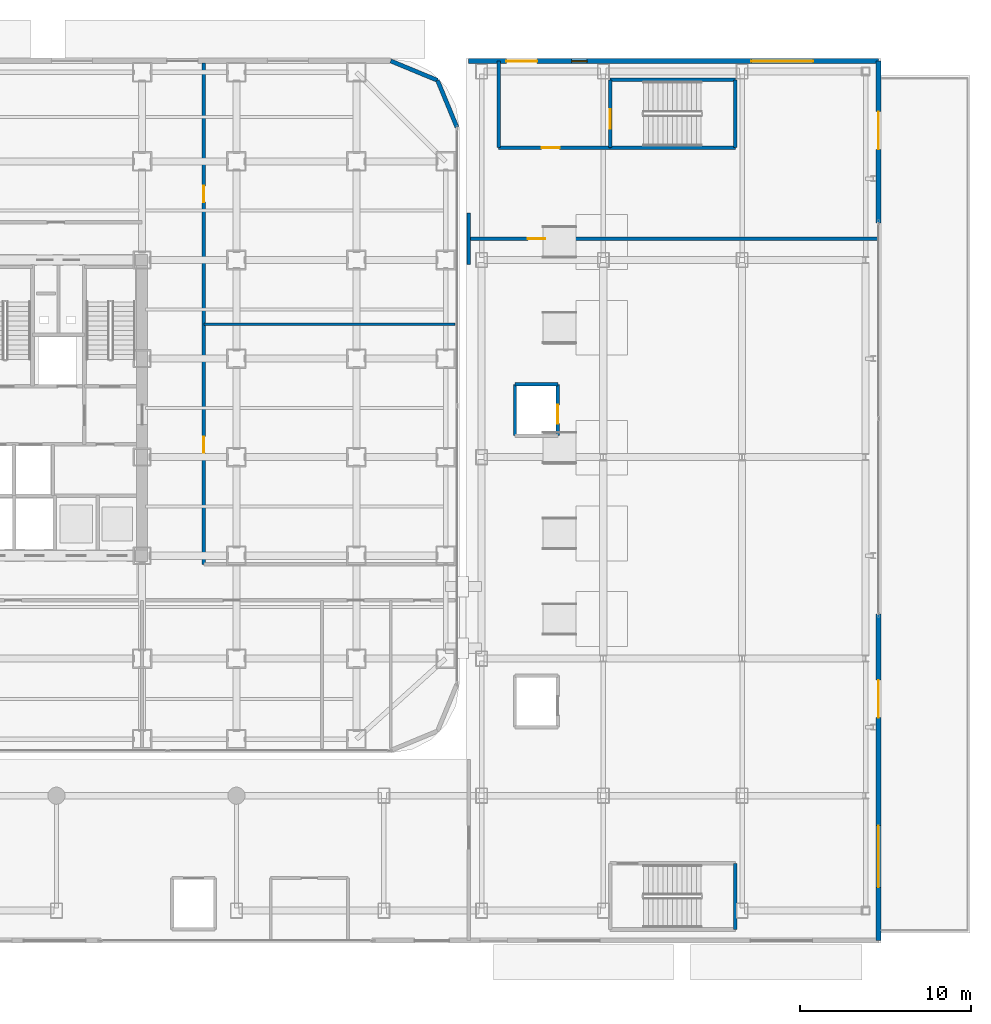
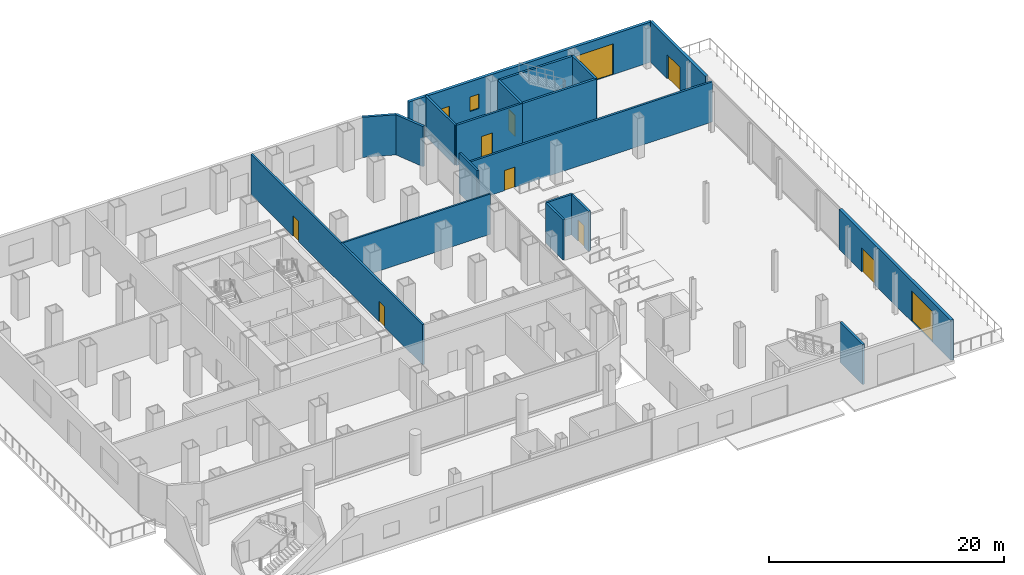
# One storey, part 23 of 31: 19 walls, 11 doors, 1 window, 12 openings.
"""IFC4 building model written with IfcOpenShell, lengths in metres."""

from ifc_helpers import new_model, si_unit, direction, frame, frame_2d, origin, place, context, subcontext, project, spatial, rectangle, extrude, material, layer, layer_set, type_object, element, fill, save


model = new_model("IFC4")

# Units and contexts
model_context = context("Model", 3, precision=1e-05, world=origin(), true_north=direction((0.0, 1.0)))
body_context = subcontext(model_context, "Body", "Model", "MODEL_VIEW")
ifc_project = project(units=[si_unit("LENGTHUNIT", "METRE"), si_unit("AREAUNIT", "SQUARE_METRE"), si_unit("VOLUMEUNIT", "CUBIC_METRE"), si_unit("PLANEANGLEUNIT", "RADIAN"), si_unit("MASSUNIT", "GRAM", prefix="KILO")], contexts=[model_context])

# Site, building, storey
site_placement = place(None, origin())
site = spatial("IfcSite", under=ifc_project, at=site_placement, CompositionType="ELEMENT")
building_placement = place(site_placement, origin())
building = spatial("IfcBuilding", under=site, at=building_placement, Name="Kolveth Station Tower", CompositionType="ELEMENT")
storey_placement = place(building_placement, origin())
storey = spatial("IfcBuildingStorey", under=building, at=storey_placement, Name="L00", CompositionType="ELEMENT", Elevation=0.0)

# Walls
ifc_material_1 = material(Name="Precast concrete C40/50", Category="concrete")
ifc_layer_1 = layer(ifc_material_1, 0.239990234375)
ifc_layer_set_1 = layer_set([ifc_layer_1], Name="Precast concrete C40/50")
wall_type_1 = type_object("IfcWallType", Name="Wall_EW-240", PredefinedType="SOLIDWALL", material=ifc_layer_set_1)
for number, where, z_axis, x_axis, name in (
    (1, (46.860107421875, 36.5, 0.0), (0.0, 0.0, 1.0), (-0.382689947836, 0.923876833688, 0.0), "L00 Podium Rounded Corner Wall 3"),
    (2, (45.7294921875, 39.2294921875, 0.0), (0.0, 0.0, 1.0), (-0.923876833688, 0.382689947836, 0.0), "L00 Podium Rounded Corner Wall 4"),
):
    element("IfcWall", number, at=place(storey_placement, frame(where, z_axis=z_axis, x_axis=x_axis)), inside=storey, type_object=wall_type_1, Name=name, PredefinedType="SOLIDWALL", context=body_context, shape_type="SweptSolid", body=[
        extrude(rectangle(XDim=2.954345703125, YDim=0.239990234375, at=frame_2d((1.47705078125, 0.0))), origin(), (0.0, 0.0, 1.0), 4.179931640625),
    ])

# Wall, openings, doors
ifc_layer_2 = layer(ifc_material_1, 0.280029296875)
ifc_layer_set_2 = layer_set([ifc_layer_2], Name="Precast concrete C40/50")
wall_type_2 = type_object("IfcWallType", Name="Wall_EW-280", PredefinedType="SOLIDWALL", material=ifc_layer_set_2)
wall_1_placement = place(storey_placement, frame((71.449951171875, -10.949951171875, 0.0), z_axis=(0.0, 0.0, 1.0), x_axis=(0.0, 1.0, 0.0)))
wall_1 = element("IfcWall", 3, at=wall_1_placement, inside=storey, type_object=wall_type_2, Name="L00 Station Exterior Wall E1", PredefinedType="SOLIDWALL", context=body_context, shape_type="SweptSolid", body=[
    extrude(rectangle(XDim=19.050048828125, YDim=0.280029296875, at=frame_2d((9.52490234375, 0.0))), origin(), (0.0, 0.0, 1.0), 4.179931640625),
])
opening_1_placement = place(wall_1_placement, frame((13.0, 0.0, 0.0)))
opening_1 = element("IfcOpeningElement", 4, at=opening_1_placement, cuts=wall_1, Name="Opening ED2", PredefinedType="OPENING", context=body_context, shape_type="SweptSolid", body=[
    extrude(rectangle(XDim=2.199951171875, YDim=2.5, at=frame_2d((1.10009765625, 1.25))), frame((0.0, 0.14990234375, 0.0), z_axis=(0.0, -1.0, 0.0), x_axis=(1.0, 0.0, 0.0)), (0.0, 0.0, 1.0), 0.300048828125),
])
opening_2_placement = place(wall_1_placement, frame((3.10009765625, 0.0, 0.0)))
opening_2 = element("IfcOpeningElement", 5, at=opening_2_placement, cuts=wall_1, Name="Opening SG1", PredefinedType="OPENING", context=body_context, shape_type="SweptSolid", body=[
    extrude(rectangle(XDim=3.60009765625, YDim=3.199951171875, at=frame_2d((1.800048828125, 1.60009765625))), frame((0.0, 0.14990234375, 0.0), z_axis=(0.0, -1.0, 0.0), x_axis=(1.0, 0.0, 0.0)), (0.0, 0.0, 1.0), 0.300048828125),
])
ifc_material_2 = material(Name="Black anodized aluminium 6063-T6 and laminated glass", Category="aluminium")
door_type_1 = type_object("IfcDoorType", Name="Door_ED2", OperationType="NOTDEFINED", PredefinedType="DOOR", material=ifc_material_2)
door_1_placement = place(opening_1_placement, frame((2.199951171875, 0.0, 0.0), z_axis=(0.0, 0.0, 1.0), x_axis=(-1.0, 0.0, 0.0)))
door_1 = element("IfcDoor", 6, at=door_1_placement, inside=storey, type_object=door_type_1, Name="L00 Station East Boulevard Entrance Door", OperationType="DOUBLE_DOOR_SINGLE_SWING", OverallHeight=2.5, OverallWidth=2.199951171875, PredefinedType="DOOR", context=body_context, shape_type="SweptSolid", body=[
    extrude(rectangle(XDim=2.199951171875, YDim=2.5, at=frame_2d((1.10009765625, 1.25))), frame((0.0, 0.02490234375, 0.0), z_axis=(0.0, -1.0, 0.0), x_axis=(1.0, 0.0, 0.0)), (0.0, 0.0, 1.0), 0.050048828125),
])
fill(opening_1, door_1)
ifc_material_3 = material(Name="Insulated Steel S355 station service gate", Category="steel")
door_type_2 = type_object("IfcDoorType", Name="Door_SG1", OperationType="NOTDEFINED", PredefinedType="GATE", material=ifc_material_3)
door_2_placement = place(opening_2_placement, origin())
door_2 = element("IfcDoor", 7, at=door_2_placement, inside=storey, type_object=door_type_2, Name="L00 Station Night Security Gate 4", OperationType="ROLLINGUP", OverallHeight=3.199951171875, OverallWidth=3.60009765625, PredefinedType="GATE", context=body_context, shape_type="SweptSolid", body=[
    extrude(rectangle(XDim=3.60009765625, YDim=3.199951171875, at=frame_2d((1.800048828125, 1.60009765625))), frame((0.0, 0.02490234375, 0.0), z_axis=(0.0, -1.0, 0.0), x_axis=(1.0, 0.0, 0.0)), (0.0, 0.0, 1.0), 0.050048828125),
])
fill(opening_2, door_2)

# Wall, opening, door
wall_2_placement = place(storey_placement, frame((71.449951171875, 30.89990234375, 0.0), z_axis=(0.0, 0.0, 1.0), x_axis=(0.0, 1.0, 0.0)))
wall_2 = element("IfcWall", 8, at=wall_2_placement, inside=storey, type_object=wall_type_2, Name="L00 Station Exterior Wall E2", PredefinedType="SOLIDWALL", context=body_context, shape_type="SweptSolid", body=[
    extrude(rectangle(XDim=9.4501953125, YDim=0.280029296875, at=frame_2d((4.72509765625, 0.0))), origin(), (0.0, 0.0, 1.0), 4.179931640625),
])
opening_3_placement = place(wall_2_placement, frame((4.300048828125, 0.0, 0.0)))
opening_3 = element("IfcOpeningElement", 9, at=opening_3_placement, cuts=wall_2, Name="Opening ED2", PredefinedType="OPENING", context=body_context, shape_type="SweptSolid", body=[
    extrude(rectangle(XDim=2.199951171875, YDim=2.5, at=frame_2d((1.10009765625, 1.25))), frame((0.0, 0.14990234375, 0.0), z_axis=(0.0, -1.0, 0.0), x_axis=(1.0, 0.0, 0.0)), (0.0, 0.0, 1.0), 0.300048828125),
])
door_3_placement = place(opening_3_placement, frame((2.199951171875, 0.0, 0.0), z_axis=(0.0, 0.0, 1.0), x_axis=(-1.0, 0.0, 0.0)))
door_3 = element("IfcDoor", 10, at=door_3_placement, inside=storey, type_object=door_type_1, Name="L00 Station North-East Entrance Door", OperationType="DOUBLE_DOOR_SINGLE_SWING", OverallHeight=2.5, OverallWidth=2.199951171875, PredefinedType="DOOR", context=body_context, shape_type="SweptSolid", body=[
    extrude(rectangle(XDim=2.199951171875, YDim=2.5, at=frame_2d((1.10009765625, 1.25))), frame((0.0, 0.02490234375, 0.0), z_axis=(0.0, -1.0, 0.0), x_axis=(1.0, 0.0, 0.0)), (0.0, 0.0, 1.0), 0.050048828125),
])
fill(opening_3, door_3)

# Wall, openings, doors, window
wall_3_placement = place(storey_placement, frame((47.5400390625, 40.35009765625, 0.0), z_axis=(0.0, 0.0, 1.0), x_axis=(1.0, 0.0, 0.0)))
wall_3 = element("IfcWall", 11, at=wall_3_placement, inside=storey, type_object=wall_type_2, Name="L00 Station Exterior Wall N1", PredefinedType="SOLIDWALL", context=body_context, shape_type="SweptSolid", body=[
    extrude(rectangle(XDim=23.909912109375, YDim=0.280029296875, at=frame_2d((11.955078125, 0.0))), origin(), (0.0, 0.0, 1.0), 4.179931640625),
])
opening_4_placement = place(wall_3_placement, frame((6.010009765625, 0.0, 1.10009765625)))
opening_4 = element("IfcOpeningElement", 12, at=opening_4_placement, cuts=wall_3, Name="Opening W8", PredefinedType="OPENING", context=body_context, shape_type="SweptSolid", body=[
    extrude(rectangle(XDim=0.89990234375, YDim=1.5, at=frame_2d((0.449951171875, 0.75))), frame((0.0, 0.14990234375, 0.0), z_axis=(0.0, -1.0, 0.0), x_axis=(1.0, 0.0, 0.0)), (0.0, 0.0, 1.0), 0.300048828125),
])
opening_5_placement = place(wall_3_placement, frame((2.199951171875, 0.0, 0.0)))
opening_5 = element("IfcOpeningElement", 13, at=opening_5_placement, cuts=wall_3, Name="Opening ED3", PredefinedType="OPENING", context=body_context, shape_type="SweptSolid", body=[
    extrude(rectangle(XDim=1.800048828125, YDim=2.35009765625, at=frame_2d((0.89990234375, 1.175048828125))), frame((0.0, 0.14990234375, 0.0), z_axis=(0.0, -1.0, 0.0), x_axis=(1.0, 0.0, 0.0)), (0.0, 0.0, 1.0), 0.300048828125),
])
opening_6_placement = place(wall_3_placement, frame((16.5, 0.0, 0.0)))
opening_6 = element("IfcOpeningElement", 14, at=opening_6_placement, cuts=wall_3, Name="Opening SG1", PredefinedType="OPENING", context=body_context, shape_type="SweptSolid", body=[
    extrude(rectangle(XDim=3.60009765625, YDim=3.199951171875, at=frame_2d((1.800048828125, 1.60009765625))), frame((0.0, 0.14990234375, 0.0), z_axis=(0.0, -1.0, 0.0), x_axis=(1.0, 0.0, 0.0)), (0.0, 0.0, 1.0), 0.300048828125),
])
door_type_3 = type_object("IfcDoorType", Name="Door_ED3", OperationType="NOTDEFINED", PredefinedType="DOOR", material=ifc_material_2)
door_4_placement = place(opening_5_placement, origin())
door_4 = element("IfcDoor", 15, at=door_4_placement, inside=storey, type_object=door_type_3, Name="L00 Station North Final Exit Door", OperationType="DOUBLE_DOOR_SINGLE_SWING", OverallHeight=2.35009765625, OverallWidth=1.800048828125, PredefinedType="DOOR", context=body_context, shape_type="SweptSolid", body=[
    extrude(rectangle(XDim=1.800048828125, YDim=2.35009765625, at=frame_2d((0.89990234375, 1.175048828125))), frame((0.0, 0.02490234375, 0.0), z_axis=(0.0, -1.0, 0.0), x_axis=(1.0, 0.0, 0.0)), (0.0, 0.0, 1.0), 0.050048828125),
])
fill(opening_5, door_4)
door_5_placement = place(opening_6_placement, origin())
door_5 = element("IfcDoor", 16, at=door_5_placement, inside=storey, type_object=door_type_2, Name="L00 Station Night Security Gate 5", OperationType="ROLLINGUP", OverallHeight=3.199951171875, OverallWidth=3.60009765625, PredefinedType="GATE", context=body_context, shape_type="SweptSolid", body=[
    extrude(rectangle(XDim=3.60009765625, YDim=3.199951171875, at=frame_2d((1.800048828125, 1.60009765625))), frame((0.0, 0.02490234375, 0.0), z_axis=(0.0, -1.0, 0.0), x_axis=(1.0, 0.0, 0.0)), (0.0, 0.0, 1.0), 0.050048828125),
])
fill(opening_6, door_5)
ifc_material_4 = material(Name="Black anodized aluminium 6063-T6 and frosted glass", Category="aluminium")
window_type = type_object("IfcWindowType", Name="Win_W8", PartitioningType="SINGLE_PANEL", PredefinedType="WINDOW", material=ifc_material_4)
window_placement = place(opening_4_placement, origin())
window = element("IfcWindow", 17, at=window_placement, inside=storey, type_object=window_type, Name="L00 Station Hall Window 4", OverallHeight=1.5, OverallWidth=0.89990234375, PartitioningType="SINGLE_PANEL", PredefinedType="WINDOW", context=body_context, shape_type="SweptSolid", body=[
    extrude(rectangle(XDim=0.89990234375, YDim=1.5, at=frame_2d((0.449951171875, 0.75))), frame((0.0, 0.030029296875, 0.0), z_axis=(0.0, -1.0, 0.0), x_axis=(1.0, 0.0, 0.0)), (0.0, 0.0, 1.0), 0.06005859375),
])
fill(opening_4, window)

# Wall
ifc_material_5 = material(Name="Acoustic double-stud gypsum partition")
ifc_layer_3 = layer(ifc_material_5, 0.1650390625)
ifc_layer_set_3 = layer_set([ifc_layer_3], Name="Acoustic double-stud gypsum partition")
wall_type_3 = type_object("IfcWallType", Name="Wall_IW-165", PredefinedType="PARTITIONING", material=ifc_layer_set_3)
wall_4_placement = place(storey_placement, frame((32.10009765625, 25.0, 0.0), z_axis=(0.0, 0.0, 1.0), x_axis=(1.0, 0.0, 0.0)))
element("IfcWall", 18, at=wall_4_placement, inside=storey, type_object=wall_type_3, Name="L00 Partition Wall WL-L00-TL0E-P1", PredefinedType="PARTITIONING", context=body_context, shape_type="SweptSolid", body=[
    extrude(rectangle(XDim=14.64990234375, YDim=0.1650390625, at=frame_2d((7.324951171875, 0.0))), origin(), (0.0, 0.0, 1.0), 4.179931640625),
])

# Wall, openings, doors
ifc_material_6 = material(Name="Acoustic fire-rated gypsum blockwork", Category="masonry")
ifc_layer_4 = layer(ifc_material_6, 0.199951171875)
ifc_layer_set_4 = layer_set([ifc_layer_4], Name="Acoustic fire-rated gypsum blockwork")
wall_type_4 = type_object("IfcWallType", Name="Wall_IW-200", PredefinedType="PARTITIONING", material=ifc_layer_set_4)
wall_5_placement = place(storey_placement, frame((32.10009765625, 11.0, 0.0), z_axis=(0.0, 0.0, 1.0), x_axis=(0.0, 1.0, 0.0)))
wall_5 = element("IfcWall", 19, at=wall_5_placement, inside=storey, type_object=wall_type_4, Name="L00 Partition Wall WL-L00-BE", PredefinedType="PARTITIONING", context=body_context, shape_type="SweptSolid", body=[
    extrude(rectangle(XDim=29.25, YDim=0.199951171875, at=frame_2d((14.625, 0.0))), origin(), (0.0, 0.0, 1.0), 4.179931640625),
])
opening_7_placement = place(wall_5_placement, frame((6.5, 0.0, 0.0)))
opening_7 = element("IfcOpeningElement", 20, at=opening_7_placement, cuts=wall_5, Name="Opening ID1", PredefinedType="OPENING", context=body_context, shape_type="SweptSolid", body=[
    extrude(rectangle(XDim=0.949951171875, YDim=2.14990234375, at=frame_2d((0.47509765625, 1.074951171875))), frame((0.0, 0.10986328125, 0.0), z_axis=(0.0, -1.0, 0.0), x_axis=(1.0, 0.0, 0.0)), (0.0, 0.0, 1.0), 0.219970703125),
])
opening_8_placement = place(wall_5_placement, frame((21.125, 0.0, 0.0)))
opening_8 = element("IfcOpeningElement", 21, at=opening_8_placement, cuts=wall_5, Name="Opening ID1", PredefinedType="OPENING", context=body_context, shape_type="SweptSolid", body=[
    extrude(rectangle(XDim=0.949951171875, YDim=2.14990234375, at=frame_2d((0.47509765625, 1.074951171875))), frame((0.0, 0.10986328125, 0.0), z_axis=(0.0, -1.0, 0.0), x_axis=(1.0, 0.0, 0.0)), (0.0, 0.0, 1.0), 0.219970703125),
])
ifc_material_7 = material(Name="Acoustic hardwood leaf and aluminium frame", Category="wood")
door_type_4 = type_object("IfcDoorType", Name="Door_ID1", OperationType="NOTDEFINED", PredefinedType="DOOR", material=ifc_material_7)
door_6_placement = place(opening_7_placement, origin())
door_6 = element("IfcDoor", 22, at=door_6_placement, inside=storey, type_object=door_type_4, Name="L00 Intermodal Ticketing Retail Office Door", OperationType="SINGLE_SWING_RIGHT", OverallHeight=2.14990234375, OverallWidth=0.949951171875, PredefinedType="DOOR", context=body_context, shape_type="SweptSolid", body=[
    extrude(rectangle(XDim=0.949951171875, YDim=2.14990234375, at=frame_2d((0.47509765625, 1.074951171875))), frame((0.0, 0.02490234375, 0.0), z_axis=(0.0, -1.0, 0.0), x_axis=(1.0, 0.0, 0.0)), (0.0, 0.0, 1.0), 0.050048828125),
])
fill(opening_7, door_6)
door_7_placement = place(opening_8_placement, origin())
door_7 = element("IfcDoor", 23, at=door_7_placement, inside=storey, type_object=door_type_4, Name="L00 Ground Pharmacy Retail Unit Door", OperationType="SINGLE_SWING_LEFT", OverallHeight=2.14990234375, OverallWidth=0.949951171875, PredefinedType="DOOR", context=body_context, shape_type="SweptSolid", body=[
    extrude(rectangle(XDim=0.949951171875, YDim=2.14990234375, at=frame_2d((0.47509765625, 1.074951171875))), frame((0.0, 0.02490234375, 0.0), z_axis=(0.0, -1.0, 0.0), x_axis=(1.0, 0.0, 0.0)), (0.0, 0.0, 1.0), 0.050048828125),
])
fill(opening_8, door_7)

# Wall, opening, door
wall_6_placement = place(storey_placement, frame((49.300048828125, 35.300048828125, 0.0), z_axis=(0.0, 0.0, 1.0), x_axis=(1.0, 0.0, 0.0)))
wall_6 = element("IfcWall", 24, at=wall_6_placement, inside=storey, type_object=wall_type_4, Name="L00 Partition Wall WL-L00-ST3P-S", PredefinedType="PARTITIONING", context=body_context, shape_type="SweptSolid", body=[
    extrude(rectangle(XDim=6.5, YDim=0.199951171875, at=frame_2d((3.25, 0.0))), origin(), (0.0, 0.0, 1.0), 4.179931640625),
])
opening_9_placement = place(wall_6_placement, frame((2.5, 0.0, 0.0)))
opening_9 = element("IfcOpeningElement", 25, at=opening_9_placement, cuts=wall_6, Name="Opening FD2", PredefinedType="OPENING", context=body_context, shape_type="SweptSolid", body=[
    extrude(rectangle(XDim=1.050048828125, YDim=2.14990234375, at=frame_2d((0.52490234375, 1.074951171875))), frame((0.0, 0.10986328125, 0.0), z_axis=(0.0, -1.0, 0.0), x_axis=(1.0, 0.0, 0.0)), (0.0, 0.0, 1.0), 0.219970703125),
])
ifc_material_8 = material(Name="Fire-rated Steel S355 leaf and frame", Category="steel")
door_type_5 = type_object("IfcDoorType", Name="Door_FD2", OperationType="NOTDEFINED", PredefinedType="DOOR", material=ifc_material_8)
door_8_placement = place(opening_9_placement, origin())
door_8 = element("IfcDoor", 26, at=door_8_placement, inside=storey, type_object=door_type_5, Name="L00 Station North Passage Fire Door", OperationType="SINGLE_SWING_RIGHT", OverallHeight=2.14990234375, OverallWidth=1.050048828125, PredefinedType="DOOR", context=body_context, shape_type="SweptSolid", body=[
    extrude(rectangle(XDim=1.050048828125, YDim=2.14990234375, at=frame_2d((0.52490234375, 1.074951171875))), frame((0.0, 0.02490234375, 0.0), z_axis=(0.0, -1.0, 0.0), x_axis=(1.0, 0.0, 0.0)), (0.0, 0.0, 1.0), 0.050048828125),
])
fill(opening_9, door_8)

# Walls
wall_7_placement = place(storey_placement, frame((49.300048828125, 35.300048828125, 0.0), z_axis=(0.0, 0.0, 1.0), x_axis=(0.0, 1.0, 0.0)))
element("IfcWall", 27, at=wall_7_placement, inside=storey, type_object=wall_type_4, Name="L00 Partition Wall WL-L00-ST3P-W", PredefinedType="PARTITIONING", context=body_context, shape_type="SweptSolid", body=[
    extrude(rectangle(XDim=5.06005859375, YDim=0.199951171875, at=frame_2d((2.530029296875, 0.0))), origin(), (0.0, 0.0, 1.0), 4.179931640625),
])
wall_8_placement = place(storey_placement, frame((50.25, 21.5, 0.0), z_axis=(0.0, 0.0, 1.0), x_axis=(1.0, 0.0, 0.0)))
element("IfcWall", 28, at=wall_8_placement, inside=storey, type_object=wall_type_4, Name="L00 Partition Wall WL-L00-SL2-N", PredefinedType="PARTITIONING", context=body_context, shape_type="SweptSolid", body=[
    extrude(rectangle(XDim=2.5, YDim=0.199951171875, at=frame_2d((1.25, 0.0))), origin(), (0.0, 0.0, 1.0), 4.179931640625),
])
wall_9_placement = place(storey_placement, frame((50.25, 18.5, 0.0), z_axis=(0.0, 0.0, 1.0), x_axis=(0.0, 1.0, 0.0)))
element("IfcWall", 29, at=wall_9_placement, inside=storey, type_object=wall_type_4, Name="L00 Partition Wall WL-L00-SL2-W", PredefinedType="PARTITIONING", context=body_context, shape_type="SweptSolid", body=[
    extrude(rectangle(XDim=3.0, YDim=0.199951171875, at=frame_2d((1.5, 0.0))), origin(), (0.0, 0.0, 1.0), 4.179931640625),
])

# Wall, opening, door
wall_10_placement = place(storey_placement, frame((52.75, 18.5, 0.0), z_axis=(0.0, 0.0, 1.0), x_axis=(0.0, 1.0, 0.0)))
wall_10 = element("IfcWall", 30, at=wall_10_placement, inside=storey, type_object=wall_type_4, Name="L00 Partition Wall WL-L00-SL2-E", PredefinedType="PARTITIONING", context=body_context, shape_type="SweptSolid", body=[
    extrude(rectangle(XDim=3.0, YDim=0.199951171875, at=frame_2d((1.5, 0.0))), origin(), (0.0, 0.0, 1.0), 4.179931640625),
])
opening_10_placement = place(wall_10_placement, frame((0.699951171875, 0.0, 0.0)))
opening_10 = element("IfcOpeningElement", 31, at=opening_10_placement, cuts=wall_10, Name="Opening LD1", PredefinedType="OPENING", context=body_context, shape_type="SweptSolid", body=[
    extrude(rectangle(XDim=1.10009765625, YDim=2.25, at=frame_2d((0.550048828125, 1.125))), frame((0.0, 0.10986328125, 0.0), z_axis=(0.0, -1.0, 0.0), x_axis=(1.0, 0.0, 0.0)), (0.0, 0.0, 1.0), 0.219970703125),
])
ifc_material_9 = material(Name="Brushed stainless steel sliding landing doors", Category="steel")
door_type_6 = type_object("IfcDoorType", Name="Door_LD1", OperationType="NOTDEFINED", PredefinedType="DOOR", material=ifc_material_9)
door_9_placement = place(opening_10_placement, origin())
door_9 = element("IfcDoor", 32, at=door_9_placement, inside=storey, type_object=door_type_6, Name="L00 Station Lift SL2 Landing Door", OperationType="DOUBLE_DOOR_SLIDING", OverallHeight=2.25, OverallWidth=1.10009765625, PredefinedType="DOOR", context=body_context, shape_type="SweptSolid", body=[
    extrude(rectangle(XDim=1.10009765625, YDim=2.25, at=frame_2d((0.550048828125, 1.125))), frame((0.0, 0.02490234375, 0.0), z_axis=(0.0, -1.0, 0.0), x_axis=(1.0, 0.0, 0.0)), (0.0, 0.0, 1.0), 0.050048828125),
])
fill(opening_10, door_9)

# Wall
wall_11_placement = place(storey_placement, frame((47.550048828125, 28.5, 0.0), z_axis=(0.0, 0.0, 1.0), x_axis=(0.0, 1.0, 0.0)))
element("IfcWall", 33, at=wall_11_placement, inside=storey, type_object=wall_type_4, Name="L00 Partition Wall WL-L00-STN-WJAMB", PredefinedType="PARTITIONING", context=body_context, shape_type="SweptSolid", body=[
    extrude(rectangle(XDim=3.0, YDim=0.199951171875, at=frame_2d((1.5, 0.0))), origin(), (0.0, 0.0, 1.0), 4.179931640625),
])

# Wall, opening, door
wall_12_placement = place(storey_placement, frame((47.550048828125, 30.0, 0.0), z_axis=(0.0, 0.0, 1.0), x_axis=(1.0, 0.0, 0.0)))
wall_12 = element("IfcWall", 34, at=wall_12_placement, inside=storey, type_object=wall_type_4, Name="L00 Partition Wall WL-L00-STN-DIV", PredefinedType="PARTITIONING", context=body_context, shape_type="SweptSolid", body=[
    extrude(rectangle(XDim=23.89990234375, YDim=0.199951171875, at=frame_2d((11.949951171875, 0.0))), origin(), (0.0, 0.0, 1.0), 4.179931640625),
])
opening_11_placement = place(wall_12_placement, frame((3.449951171875, 0.0, 0.0)))
opening_11 = element("IfcOpeningElement", 35, at=opening_11_placement, cuts=wall_12, Name="Opening FG1", PredefinedType="OPENING", context=body_context, shape_type="SweptSolid", body=[
    extrude(rectangle(XDim=1.0, YDim=2.10009765625, at=frame_2d((0.5, 1.050048828125))), frame((0.0, 0.10986328125, 0.0), z_axis=(0.0, -1.0, 0.0), x_axis=(1.0, 0.0, 0.0)), (0.0, 0.0, 1.0), 0.219970703125),
])
ifc_material_10 = material(Name="Brushed stainless steel station fare gate", Category="steel")
door_type_7 = type_object("IfcDoorType", Name="Door_FG1", OperationType="NOTDEFINED", PredefinedType="GATE", material=ifc_material_10)
door_10_placement = place(opening_11_placement, origin())
door_10 = element("IfcDoor", 36, at=door_10_placement, inside=storey, type_object=door_type_7, Name="L00 Station Concourse Gate", OperationType="DOUBLE_DOOR_SINGLE_SWING", OverallHeight=2.10009765625, OverallWidth=1.0, PredefinedType="GATE", context=body_context, shape_type="SweptSolid", body=[
    extrude(rectangle(XDim=1.0, YDim=2.10009765625, at=frame_2d((0.5, 1.050048828125))), frame((0.0, 0.02490234375, 0.0), z_axis=(0.0, -1.0, 0.0), x_axis=(1.0, 0.0, 0.0)), (0.0, 0.0, 1.0), 0.050048828125),
])
fill(opening_11, door_10)

# Walls
ifc_material_11 = material(Name="Concrete C40/50", Category="concrete")
ifc_layer_5 = layer(ifc_material_11, 0.219970703125)
ifc_layer_set_5 = layer_set([ifc_layer_5], Name="Concrete C40/50")
wall_type_5 = type_object("IfcWallType", Name="Wall_IW-220", PredefinedType="SOLIDWALL", material=ifc_layer_set_5)
for number, where, z_axis, x_axis, name in (
    (37, (55.800048828125, 35.300048828125, 0.0), (0.0, 0.0, 1.0), (1.0, 0.0, 0.0), "L00 Stair Shaft Wall WL-L00-ST3-S"),
    (38, (55.800048828125, 39.260009765625, 0.0), (0.0, 0.0, 1.0), (1.0, 0.0, 0.0), "L00 Stair Shaft Wall WL-L00-ST3-N"),
):
    element("IfcWall", number, at=place(storey_placement, frame(where, z_axis=z_axis, x_axis=x_axis)), inside=storey, type_object=wall_type_5, Name=name, PredefinedType="SOLIDWALL", context=body_context, shape_type="SweptSolid", body=[
        extrude(rectangle(XDim=7.300048828125, YDim=0.219970703125, at=frame_2d((3.64990234375, 0.0))), origin(), (0.0, 0.0, 1.0), 4.179931640625),
    ])

# Wall, opening, door
wall_13_placement = place(storey_placement, frame((55.800048828125, 35.300048828125, 0.0), z_axis=(0.0, 0.0, 1.0), x_axis=(0.0, 1.0, 0.0)))
wall_13 = element("IfcWall", 39, at=wall_13_placement, inside=storey, type_object=wall_type_5, Name="L00 Stair Shaft Wall WL-L00-ST3-W", PredefinedType="SOLIDWALL", context=body_context, shape_type="SweptSolid", body=[
    extrude(rectangle(XDim=3.9599609375, YDim=0.219970703125, at=frame_2d((1.97998046875, 0.0))), origin(), (0.0, 0.0, 1.0), 4.179931640625),
])
opening_12_placement = place(wall_13_placement, frame((1.10009765625, 0.0, 0.0)))
opening_12 = element("IfcOpeningElement", 40, at=opening_12_placement, cuts=wall_13, Name="Opening FD1", PredefinedType="OPENING", context=body_context, shape_type="SweptSolid", body=[
    extrude(rectangle(XDim=1.14990234375, YDim=2.199951171875, at=frame_2d((0.574951171875, 1.10009765625))), frame((0.0, 0.119873046875, 0.0), z_axis=(0.0, -1.0, 0.0), x_axis=(1.0, 0.0, 0.0)), (0.0, 0.0, 1.0), 0.239990234375),
])
door_type_8 = type_object("IfcDoorType", Name="Door_FD1", OperationType="NOTDEFINED", PredefinedType="DOOR", material=ifc_material_8)
door_11_placement = place(opening_12_placement, origin())
door_11 = element("IfcDoor", 41, at=door_11_placement, inside=storey, type_object=door_type_8, Name="L00 Station Stair ST3 Exit Door", OperationType="SINGLE_SWING_LEFT", OverallHeight=2.199951171875, OverallWidth=1.14990234375, PredefinedType="DOOR", context=body_context, shape_type="SweptSolid", body=[
    extrude(rectangle(XDim=1.14990234375, YDim=2.199951171875, at=frame_2d((0.574951171875, 1.10009765625))), frame((0.0, 0.02490234375, 0.0), z_axis=(0.0, -1.0, 0.0), x_axis=(1.0, 0.0, 0.0)), (0.0, 0.0, 1.0), 0.050048828125),
])
fill(opening_12, door_11)

# Walls
wall_14_placement = place(storey_placement, frame((63.10009765625, 35.300048828125, 0.0), z_axis=(0.0, 0.0, 1.0), x_axis=(0.0, 1.0, 0.0)))
element("IfcWall", 42, at=wall_14_placement, inside=storey, type_object=wall_type_5, Name="L00 Stair Shaft Wall WL-L00-ST3-E", PredefinedType="SOLIDWALL", context=body_context, shape_type="SweptSolid", body=[
    extrude(rectangle(XDim=3.9599609375, YDim=0.219970703125, at=frame_2d((1.97998046875, 0.0))), origin(), (0.0, 0.0, 1.0), 4.179931640625),
])
wall_15_placement = place(storey_placement, frame((63.10009765625, -10.300048828125, 0.0), z_axis=(0.0, 0.0, 1.0), x_axis=(0.0, 1.0, 0.0)))
element("IfcWall", 43, at=wall_15_placement, inside=storey, type_object=wall_type_5, Name="L00 Stair Shaft Wall WL-L00-ST4-E", PredefinedType="SOLIDWALL", context=body_context, shape_type="SweptSolid", body=[
    extrude(rectangle(XDim=3.860107421875, YDim=0.219970703125, at=frame_2d((1.93017578125, 0.0))), origin(), (0.0, 0.0, 1.0), 4.179931640625),
])

save(model, "model.ifc")
